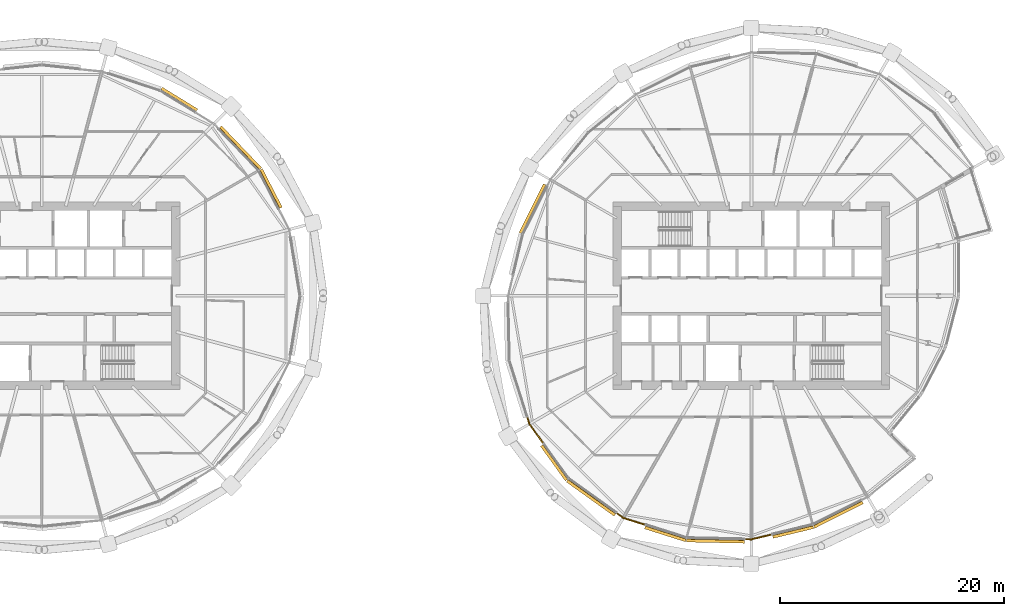
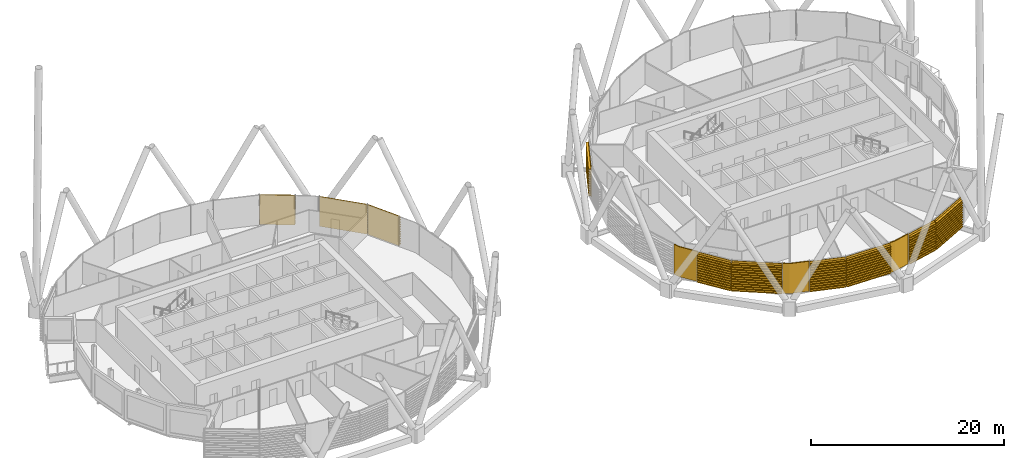
# One storey, part 37 of 39: 13 coverings.
"""IFC4 building model written with IfcOpenShell, lengths in metres."""

from ifc_helpers import new_model, si_unit, direction, frame, origin, place, context, subcontext, project, spatial, polyline, outline, extrude, material, layer, layer_set, material_profile, profile_set, type_object, element, save


model = new_model("IFC4")

# Units and contexts
model_context = context("Model", 3, precision=1e-05, world=origin(), true_north=direction((0.0, 1.0)))
body_context = subcontext(model_context, "Body", "Model", "MODEL_VIEW")
ifc_project = project(units=[si_unit("LENGTHUNIT", "METRE"), si_unit("AREAUNIT", "SQUARE_METRE"), si_unit("VOLUMEUNIT", "CUBIC_METRE"), si_unit("PLANEANGLEUNIT", "RADIAN"), si_unit("MASSUNIT", "GRAM", prefix="KILO")], contexts=[model_context])

# Site, building, storey
site_placement = place(None, origin())
site = spatial("IfcSite", under=ifc_project, at=site_placement, CompositionType="ELEMENT")
building_placement = place(site_placement, origin())
building = spatial("IfcBuilding", under=site, at=building_placement, Name="Rimbun Link Towers", CompositionType="ELEMENT")
storey_placement = place(building_placement, frame((0.0, 0.0, 115.800048828125)))
storey = spatial("IfcBuildingStorey", under=building, at=storey_placement, Name="L28", CompositionType="ELEMENT", Elevation=115.800048828125)

# Coverings
ifc_material_1 = material(Name="Terracotta", Category="masonry")
ifc_layer = layer(ifc_material_1, 0.1201171875)
ifc_layer_set = layer_set([ifc_layer], Name="LINK PIER terracotta cladding 120")
covering_type_1 = type_object("IfcCoveringType", Name="LINK PIER terracotta cladding 120", PredefinedType="CLADDING", material=ifc_layer_set)
covering_1_placement = place(storey_placement, origin())
element("IfcCovering", 1, at=covering_1_placement, inside=storey, type_object=covering_type_1, Name="LINK PIER cladding", PredefinedType="CLADDING", context=body_context, shape_type="SweptSolid", body=[
    extrude(outline(polyline([(13.203125, -13.201416015625), (11.93798828125, -11.4384765625), (11.750244140625, -10.84765625), (11.6357421875, -10.884033203125), (11.82958984375, -11.492919921875), (13.105712890625, -13.271484375), (13.203125, -13.201416015625)])), origin(), (0.0, 0.0, 1.0), 3.800048828125),
])
covering_2_placement = place(storey_placement, origin())
element("IfcCovering", 2, at=covering_2_placement, inside=storey, type_object=covering_type_1, Name="LINK PIER cladding", PredefinedType="CLADDING", context=body_context, shape_type="SweptSolid", body=[
    extrude(outline(polyline([(22.2841796875, -20.439208984375), (20.3115234375, -19.81201171875), (19.7265625, -19.39208984375), (19.65673828125, -19.48974609375), (20.257080078125, -19.92041015625), (22.247802734375, -20.5537109375), (22.2841796875, -20.439208984375)])), origin(), (0.0, 0.0, 1.0), 3.800048828125),
])
covering_3_placement = place(storey_placement, origin())
element("IfcCovering", 3, at=covering_3_placement, inside=storey, type_object=covering_type_1, Name="LINK PIER cladding", PredefinedType="CLADDING", context=body_context, shape_type="SweptSolid", body=[
    extrude(outline(polyline([(33.568603515625, -21.29541015625), (31.75, -21.730224609375), (31.18017578125, -21.71826171875), (31.177490234375, -21.83837890625), (31.762939453125, -21.8505859375), (33.5966796875, -21.412109375), (33.568603515625, -21.29541015625)])), origin(), (0.0, 0.0, 1.0), 3.800048828125),
])
ifc_material_2 = material(Name="Terracotta", Category="masonry")
ifc_material_profile = material_profile(ifc_material_2, outline(polyline([(0.123046875, 0.0), (0.1630859375, 0.0), (0.1630859375, 0.10009765625), (0.423095703125, 0.10009765625), (0.423095703125, 0.219970703125), (0.1630859375, 0.219970703125), (0.1630859375, 0.39990234375), (0.423095703125, 0.39990234375), (0.423095703125, 0.52001953125), (0.1630859375, 0.52001953125), (0.1630859375, 0.699951171875), (0.423095703125, 0.699951171875), (0.423095703125, 0.820068359375), (0.1630859375, 0.820068359375), (0.1630859375, 1.0), (0.423095703125, 1.0), (0.423095703125, 1.1201171875), (0.1630859375, 1.1201171875), (0.1630859375, 1.300048828125), (0.423095703125, 1.300048828125), (0.423095703125, 1.419921875), (0.1630859375, 1.419921875), (0.1630859375, 1.60009765625), (0.423095703125, 1.60009765625), (0.423095703125, 1.719970703125), (0.1630859375, 1.719970703125), (0.1630859375, 1.89990234375), (0.423095703125, 1.89990234375), (0.423095703125, 2.02001953125), (0.1630859375, 2.02001953125), (0.1630859375, 2.199951171875), (0.423095703125, 2.199951171875), (0.423095703125, 2.320068359375), (0.1630859375, 2.320068359375), (0.1630859375, 2.5), (0.423095703125, 2.5), (0.423095703125, 2.6201171875), (0.1630859375, 2.6201171875), (0.1630859375, 2.800048828125), (0.423095703125, 2.800048828125), (0.423095703125, 2.919921875), (0.1630859375, 2.919921875), (0.1630859375, 3.10009765625), (0.423095703125, 3.10009765625), (0.423095703125, 3.219970703125), (0.1630859375, 3.219970703125), (0.1630859375, 3.39990234375), (0.423095703125, 3.39990234375), (0.423095703125, 3.52001953125), (0.1630859375, 3.52001953125), (0.1630859375, 3.800048828125), (0.123046875, 3.800048828125), (0.123046875, 0.0)])), Name="BAGUETTE 120X300")
ifc_profile_set = profile_set([ifc_material_profile], Name="Terracotta")
covering_type_2 = type_object("IfcCoveringType", Name="TERRACOTTA BAGUETTE 120X300 H3800", PredefinedType="CLADDING", material=ifc_profile_set)
covering_4_placement = place(storey_placement, frame((-12.37646484375, 11.185302734375, 0.0), z_axis=(0.459537686225, -0.888158271334, 0.0), x_axis=(0.888158271334, 0.459537686225, 0.0)))
element("IfcCovering", 4, at=covering_4_placement, inside=storey, type_object=covering_type_2, Name="TERRACOTTA BAGUETTE", PredefinedType="CLADDING", context=body_context, shape_type="SweptSolid", body=[
    extrude(outline(polyline([(0.123046875, 0.0), (0.1630859375, 0.0), (0.1630859375, 0.10009765625), (0.423095703125, 0.10009765625), (0.423095703125, 0.219970703125), (0.1630859375, 0.219970703125), (0.1630859375, 0.39990234375), (0.423095703125, 0.39990234375), (0.423095703125, 0.52001953125), (0.1630859375, 0.52001953125), (0.1630859375, 0.699951171875), (0.423095703125, 0.699951171875), (0.423095703125, 0.820068359375), (0.1630859375, 0.820068359375), (0.1630859375, 1.0), (0.423095703125, 1.0), (0.423095703125, 1.1201171875), (0.1630859375, 1.1201171875), (0.1630859375, 1.300048828125), (0.423095703125, 1.300048828125), (0.423095703125, 1.419921875), (0.1630859375, 1.419921875), (0.1630859375, 1.60009765625), (0.423095703125, 1.60009765625), (0.423095703125, 1.719970703125), (0.1630859375, 1.719970703125), (0.1630859375, 1.89990234375), (0.423095703125, 1.89990234375), (0.423095703125, 2.02001953125), (0.1630859375, 2.02001953125), (0.1630859375, 2.199951171875), (0.423095703125, 2.199951171875), (0.423095703125, 2.320068359375), (0.1630859375, 2.320068359375), (0.1630859375, 2.5), (0.423095703125, 2.5), (0.423095703125, 2.6201171875), (0.1630859375, 2.6201171875), (0.1630859375, 2.800048828125), (0.423095703125, 2.800048828125), (0.423095703125, 2.919921875), (0.1630859375, 2.919921875), (0.1630859375, 3.10009765625), (0.423095703125, 3.10009765625), (0.423095703125, 3.219970703125), (0.1630859375, 3.219970703125), (0.1630859375, 3.39990234375), (0.423095703125, 3.39990234375), (0.423095703125, 3.52001953125), (0.1630859375, 3.52001953125), (0.1630859375, 3.800048828125), (0.123046875, 3.800048828125), (0.123046875, 0.0)])), origin(), (0.0, 0.0, 1.0), 3.877197265625),
])
covering_5_placement = place(storey_placement, frame((-15.96923828125, 14.9326171875, 0.0), z_axis=(0.692065709905, -0.721834505391, 0.0), x_axis=(0.721834505391, 0.692065709905, 0.0)))
element("IfcCovering", 5, at=covering_5_placement, inside=storey, type_object=covering_type_2, Name="TERRACOTTA BAGUETTE", PredefinedType="CLADDING", context=body_context, shape_type="SweptSolid", body=[
    extrude(outline(polyline([(0.123046875, 0.0), (0.1630859375, 0.0), (0.1630859375, 0.10009765625), (0.423095703125, 0.10009765625), (0.423095703125, 0.219970703125), (0.1630859375, 0.219970703125), (0.1630859375, 0.39990234375), (0.423095703125, 0.39990234375), (0.423095703125, 0.52001953125), (0.1630859375, 0.52001953125), (0.1630859375, 0.699951171875), (0.423095703125, 0.699951171875), (0.423095703125, 0.820068359375), (0.1630859375, 0.820068359375), (0.1630859375, 1.0), (0.423095703125, 1.0), (0.423095703125, 1.1201171875), (0.1630859375, 1.1201171875), (0.1630859375, 1.300048828125), (0.423095703125, 1.300048828125), (0.423095703125, 1.419921875), (0.1630859375, 1.419921875), (0.1630859375, 1.60009765625), (0.423095703125, 1.60009765625), (0.423095703125, 1.719970703125), (0.1630859375, 1.719970703125), (0.1630859375, 1.89990234375), (0.423095703125, 1.89990234375), (0.423095703125, 2.02001953125), (0.1630859375, 2.02001953125), (0.1630859375, 2.199951171875), (0.423095703125, 2.199951171875), (0.423095703125, 2.320068359375), (0.1630859375, 2.320068359375), (0.1630859375, 2.5), (0.423095703125, 2.5), (0.423095703125, 2.6201171875), (0.1630859375, 2.6201171875), (0.1630859375, 2.800048828125), (0.423095703125, 2.800048828125), (0.423095703125, 2.919921875), (0.1630859375, 2.919921875), (0.1630859375, 3.10009765625), (0.423095703125, 3.10009765625), (0.423095703125, 3.219970703125), (0.1630859375, 3.219970703125), (0.1630859375, 3.39990234375), (0.423095703125, 3.39990234375), (0.423095703125, 3.52001953125), (0.1630859375, 3.52001953125), (0.1630859375, 3.800048828125), (0.123046875, 3.800048828125), (0.123046875, 0.0)])), origin(), (0.0, 0.0, 1.0), 5.19140625),
])
covering_6_placement = place(storey_placement, frame((-21.178955078125, 18.3095703125, 0.0), z_axis=(0.852175326292, -0.523256355203, 0.0), x_axis=(0.523256355203, 0.852175326292, 0.0)))
element("IfcCovering", 6, at=covering_6_placement, inside=storey, type_object=covering_type_2, Name="TERRACOTTA BAGUETTE", PredefinedType="CLADDING", context=body_context, shape_type="SweptSolid", body=[
    extrude(outline(polyline([(0.123046875, 0.0), (0.1630859375, 0.0), (0.1630859375, 0.10009765625), (0.423095703125, 0.10009765625), (0.423095703125, 0.219970703125), (0.1630859375, 0.219970703125), (0.1630859375, 0.39990234375), (0.423095703125, 0.39990234375), (0.423095703125, 0.52001953125), (0.1630859375, 0.52001953125), (0.1630859375, 0.699951171875), (0.423095703125, 0.699951171875), (0.423095703125, 0.820068359375), (0.1630859375, 0.820068359375), (0.1630859375, 1.0), (0.423095703125, 1.0), (0.423095703125, 1.1201171875), (0.1630859375, 1.1201171875), (0.1630859375, 1.300048828125), (0.423095703125, 1.300048828125), (0.423095703125, 1.419921875), (0.1630859375, 1.419921875), (0.1630859375, 1.60009765625), (0.423095703125, 1.60009765625), (0.423095703125, 1.719970703125), (0.1630859375, 1.719970703125), (0.1630859375, 1.89990234375), (0.423095703125, 1.89990234375), (0.423095703125, 2.02001953125), (0.1630859375, 2.02001953125), (0.1630859375, 2.199951171875), (0.423095703125, 2.199951171875), (0.423095703125, 2.320068359375), (0.1630859375, 2.320068359375), (0.1630859375, 2.5), (0.423095703125, 2.5), (0.423095703125, 2.6201171875), (0.1630859375, 2.6201171875), (0.1630859375, 2.800048828125), (0.423095703125, 2.800048828125), (0.423095703125, 2.919921875), (0.1630859375, 2.919921875), (0.1630859375, 3.10009765625), (0.423095703125, 3.10009765625), (0.423095703125, 3.219970703125), (0.1630859375, 3.219970703125), (0.1630859375, 3.39990234375), (0.423095703125, 3.39990234375), (0.423095703125, 3.52001953125), (0.1630859375, 3.52001953125), (0.1630859375, 3.800048828125), (0.123046875, 3.800048828125), (0.123046875, 0.0)])), origin(), (0.0, 0.0, 1.0), 3.72607421875),
])
covering_7_placement = place(storey_placement, frame((11.328369140625, 5.471923828125, 0.0), z_axis=(0.448793402305, 0.893635542068, 0.0), x_axis=(-0.893635542068, 0.448793402305, 0.0)))
element("IfcCovering", 7, at=covering_7_placement, inside=storey, type_object=covering_type_2, Name="TERRACOTTA BAGUETTE", PredefinedType="CLADDING", context=body_context, shape_type="SweptSolid", body=[
    extrude(outline(polyline([(0.123046875, 0.0), (0.1630859375, 0.0), (0.1630859375, 0.10009765625), (0.423095703125, 0.10009765625), (0.423095703125, 0.219970703125), (0.1630859375, 0.219970703125), (0.1630859375, 0.39990234375), (0.423095703125, 0.39990234375), (0.423095703125, 0.52001953125), (0.1630859375, 0.52001953125), (0.1630859375, 0.699951171875), (0.423095703125, 0.699951171875), (0.423095703125, 0.820068359375), (0.1630859375, 0.820068359375), (0.1630859375, 1.0), (0.423095703125, 1.0), (0.423095703125, 1.1201171875), (0.1630859375, 1.1201171875), (0.1630859375, 1.300048828125), (0.423095703125, 1.300048828125), (0.423095703125, 1.419921875), (0.1630859375, 1.419921875), (0.1630859375, 1.60009765625), (0.423095703125, 1.60009765625), (0.423095703125, 1.719970703125), (0.1630859375, 1.719970703125), (0.1630859375, 1.89990234375), (0.423095703125, 1.89990234375), (0.423095703125, 2.02001953125), (0.1630859375, 2.02001953125), (0.1630859375, 2.199951171875), (0.423095703125, 2.199951171875), (0.423095703125, 2.320068359375), (0.1630859375, 2.320068359375), (0.1630859375, 2.5), (0.423095703125, 2.5), (0.423095703125, 2.6201171875), (0.1630859375, 2.6201171875), (0.1630859375, 2.800048828125), (0.423095703125, 2.800048828125), (0.423095703125, 2.919921875), (0.1630859375, 2.919921875), (0.1630859375, 3.10009765625), (0.423095703125, 3.10009765625), (0.423095703125, 3.219970703125), (0.1630859375, 3.219970703125), (0.1630859375, 3.39990234375), (0.423095703125, 3.39990234375), (0.423095703125, 3.52001953125), (0.1630859375, 3.52001953125), (0.1630859375, 3.800048828125), (0.123046875, 3.800048828125), (0.123046875, 0.0)])), origin(), (0.0, 0.0, 1.0), 4.88134765625),
])
covering_8_placement = place(storey_placement, frame((15.436279296875, -16.313720703125, 0.0), z_axis=(-0.582968725467, 0.812494593907, 0.0), x_axis=(-0.812494593907, -0.582968725467, 0.0)))
element("IfcCovering", 8, at=covering_8_placement, inside=storey, type_object=covering_type_2, Name="TERRACOTTA BAGUETTE", PredefinedType="CLADDING", context=body_context, shape_type="SweptSolid", body=[
    extrude(outline(polyline([(0.123046875, 0.0), (0.1630859375, 0.0), (0.1630859375, 0.10009765625), (0.423095703125, 0.10009765625), (0.423095703125, 0.219970703125), (0.1630859375, 0.219970703125), (0.1630859375, 0.39990234375), (0.423095703125, 0.39990234375), (0.423095703125, 0.52001953125), (0.1630859375, 0.52001953125), (0.1630859375, 0.699951171875), (0.423095703125, 0.699951171875), (0.423095703125, 0.820068359375), (0.1630859375, 0.820068359375), (0.1630859375, 1.0), (0.423095703125, 1.0), (0.423095703125, 1.1201171875), (0.1630859375, 1.1201171875), (0.1630859375, 1.300048828125), (0.423095703125, 1.300048828125), (0.423095703125, 1.419921875), (0.1630859375, 1.419921875), (0.1630859375, 1.60009765625), (0.423095703125, 1.60009765625), (0.423095703125, 1.719970703125), (0.1630859375, 1.719970703125), (0.1630859375, 1.89990234375), (0.423095703125, 1.89990234375), (0.423095703125, 2.02001953125), (0.1630859375, 2.02001953125), (0.1630859375, 2.199951171875), (0.423095703125, 2.199951171875), (0.423095703125, 2.320068359375), (0.1630859375, 2.320068359375), (0.1630859375, 2.5), (0.423095703125, 2.5), (0.423095703125, 2.6201171875), (0.1630859375, 2.6201171875), (0.1630859375, 2.800048828125), (0.423095703125, 2.800048828125), (0.423095703125, 2.919921875), (0.1630859375, 2.919921875), (0.1630859375, 3.10009765625), (0.423095703125, 3.10009765625), (0.423095703125, 3.219970703125), (0.1630859375, 3.219970703125), (0.1630859375, 3.39990234375), (0.423095703125, 3.39990234375), (0.423095703125, 3.52001953125), (0.1630859375, 3.52001953125), (0.1630859375, 3.800048828125), (0.123046875, 3.800048828125), (0.123046875, 0.0)])), origin(), (0.0, 0.0, 1.0), 3.800537109375),
])
covering_9_placement = place(storey_placement, frame((19.7021484375, -19.374755859375, 0.0), z_axis=(-0.812471696344, 0.583000636912, 0.0), x_axis=(-0.583000636912, -0.812471696344, 0.0)))
element("IfcCovering", 9, at=covering_9_placement, inside=storey, type_object=covering_type_2, Name="TERRACOTTA BAGUETTE", PredefinedType="CLADDING", context=body_context, shape_type="SweptSolid", body=[
    extrude(outline(polyline([(0.123046875, 0.0), (0.1630859375, 0.0), (0.1630859375, 0.10009765625), (0.423095703125, 0.10009765625), (0.423095703125, 0.219970703125), (0.1630859375, 0.219970703125), (0.1630859375, 0.39990234375), (0.423095703125, 0.39990234375), (0.423095703125, 0.52001953125), (0.1630859375, 0.52001953125), (0.1630859375, 0.699951171875), (0.423095703125, 0.699951171875), (0.423095703125, 0.820068359375), (0.1630859375, 0.820068359375), (0.1630859375, 1.0), (0.423095703125, 1.0), (0.423095703125, 1.1201171875), (0.1630859375, 1.1201171875), (0.1630859375, 1.300048828125), (0.423095703125, 1.300048828125), (0.423095703125, 1.419921875), (0.1630859375, 1.419921875), (0.1630859375, 1.60009765625), (0.423095703125, 1.60009765625), (0.423095703125, 1.719970703125), (0.1630859375, 1.719970703125), (0.1630859375, 1.89990234375), (0.423095703125, 1.89990234375), (0.423095703125, 2.02001953125), (0.1630859375, 2.02001953125), (0.1630859375, 2.199951171875), (0.423095703125, 2.199951171875), (0.423095703125, 2.320068359375), (0.1630859375, 2.320068359375), (0.1630859375, 2.5), (0.423095703125, 2.5), (0.423095703125, 2.6201171875), (0.1630859375, 2.6201171875), (0.1630859375, 2.800048828125), (0.423095703125, 2.800048828125), (0.423095703125, 2.919921875), (0.1630859375, 2.919921875), (0.1630859375, 3.10009765625), (0.423095703125, 3.10009765625), (0.423095703125, 3.219970703125), (0.1630859375, 3.219970703125), (0.1630859375, 3.39990234375), (0.423095703125, 3.39990234375), (0.423095703125, 3.52001953125), (0.1630859375, 3.52001953125), (0.1630859375, 3.800048828125), (0.123046875, 3.800048828125), (0.123046875, 0.0)])), origin(), (0.0, 0.0, 1.0), 5.25048828125),
])
covering_10_placement = place(storey_placement, frame((25.960205078125, -21.6083984375, 0.0), z_axis=(-0.952955932815, 0.303108875016, 0.0), x_axis=(-0.303108875016, -0.952955932815, 0.0)))
element("IfcCovering", 10, at=covering_10_placement, inside=storey, type_object=covering_type_2, Name="TERRACOTTA BAGUETTE", PredefinedType="CLADDING", context=body_context, shape_type="SweptSolid", body=[
    extrude(outline(polyline([(0.123046875, 0.0), (0.1630859375, 0.0), (0.1630859375, 0.10009765625), (0.423095703125, 0.10009765625), (0.423095703125, 0.219970703125), (0.1630859375, 0.219970703125), (0.1630859375, 0.39990234375), (0.423095703125, 0.39990234375), (0.423095703125, 0.52001953125), (0.1630859375, 0.52001953125), (0.1630859375, 0.699951171875), (0.423095703125, 0.699951171875), (0.423095703125, 0.820068359375), (0.1630859375, 0.820068359375), (0.1630859375, 1.0), (0.423095703125, 1.0), (0.423095703125, 1.1201171875), (0.1630859375, 1.1201171875), (0.1630859375, 1.300048828125), (0.423095703125, 1.300048828125), (0.423095703125, 1.419921875), (0.1630859375, 1.419921875), (0.1630859375, 1.60009765625), (0.423095703125, 1.60009765625), (0.423095703125, 1.719970703125), (0.1630859375, 1.719970703125), (0.1630859375, 1.89990234375), (0.423095703125, 1.89990234375), (0.423095703125, 2.02001953125), (0.1630859375, 2.02001953125), (0.1630859375, 2.199951171875), (0.423095703125, 2.199951171875), (0.423095703125, 2.320068359375), (0.1630859375, 2.320068359375), (0.1630859375, 2.5), (0.423095703125, 2.5), (0.423095703125, 2.6201171875), (0.1630859375, 2.6201171875), (0.1630859375, 2.800048828125), (0.423095703125, 2.800048828125), (0.423095703125, 2.919921875), (0.1630859375, 2.919921875), (0.1630859375, 3.10009765625), (0.423095703125, 3.10009765625), (0.423095703125, 3.219970703125), (0.1630859375, 3.219970703125), (0.1630859375, 3.39990234375), (0.423095703125, 3.39990234375), (0.423095703125, 3.52001953125), (0.1630859375, 3.52001953125), (0.1630859375, 3.800048828125), (0.123046875, 3.800048828125), (0.123046875, 0.0)])), origin(), (0.0, 0.0, 1.0), 3.82763671875),
])
covering_11_placement = place(storey_placement, frame((31.150146484375, -21.7177734375, 0.0), z_axis=(-0.999778008373, 0.021069740698, 0.0), x_axis=(-0.021069740698, -0.999778008373, 0.0)))
element("IfcCovering", 11, at=covering_11_placement, inside=storey, type_object=covering_type_2, Name="TERRACOTTA BAGUETTE", PredefinedType="CLADDING", context=body_context, shape_type="SweptSolid", body=[
    extrude(outline(polyline([(0.123046875, 0.0), (0.1630859375, 0.0), (0.1630859375, 0.10009765625), (0.423095703125, 0.10009765625), (0.423095703125, 0.219970703125), (0.1630859375, 0.219970703125), (0.1630859375, 0.39990234375), (0.423095703125, 0.39990234375), (0.423095703125, 0.52001953125), (0.1630859375, 0.52001953125), (0.1630859375, 0.699951171875), (0.423095703125, 0.699951171875), (0.423095703125, 0.820068359375), (0.1630859375, 0.820068359375), (0.1630859375, 1.0), (0.423095703125, 1.0), (0.423095703125, 1.1201171875), (0.1630859375, 1.1201171875), (0.1630859375, 1.300048828125), (0.423095703125, 1.300048828125), (0.423095703125, 1.419921875), (0.1630859375, 1.419921875), (0.1630859375, 1.60009765625), (0.423095703125, 1.60009765625), (0.423095703125, 1.719970703125), (0.1630859375, 1.719970703125), (0.1630859375, 1.89990234375), (0.423095703125, 1.89990234375), (0.423095703125, 2.02001953125), (0.1630859375, 2.02001953125), (0.1630859375, 2.199951171875), (0.423095703125, 2.199951171875), (0.423095703125, 2.320068359375), (0.1630859375, 2.320068359375), (0.1630859375, 2.5), (0.423095703125, 2.5), (0.423095703125, 2.6201171875), (0.1630859375, 2.6201171875), (0.1630859375, 2.800048828125), (0.423095703125, 2.800048828125), (0.423095703125, 2.919921875), (0.1630859375, 2.919921875), (0.1630859375, 3.10009765625), (0.423095703125, 3.10009765625), (0.423095703125, 3.219970703125), (0.1630859375, 3.219970703125), (0.1630859375, 3.39990234375), (0.423095703125, 3.39990234375), (0.423095703125, 3.52001953125), (0.1630859375, 3.52001953125), (0.1630859375, 3.800048828125), (0.123046875, 3.800048828125), (0.123046875, 0.0)])), origin(), (0.0, 0.0, 1.0), 5.191162109375),
])
covering_12_placement = place(storey_placement, frame((37.221923828125, -20.421630859375, 0.0), z_axis=(-0.972573736539, -0.232594769921, 0.0), x_axis=(0.232594769921, -0.972573736539, 0.0)))
element("IfcCovering", 12, at=covering_12_placement, inside=storey, type_object=covering_type_2, Name="TERRACOTTA BAGUETTE", PredefinedType="CLADDING", context=body_context, shape_type="SweptSolid", body=[
    extrude(outline(polyline([(0.123046875, 0.0), (0.1630859375, 0.0), (0.1630859375, 0.10009765625), (0.423095703125, 0.10009765625), (0.423095703125, 0.219970703125), (0.1630859375, 0.219970703125), (0.1630859375, 0.39990234375), (0.423095703125, 0.39990234375), (0.423095703125, 0.52001953125), (0.1630859375, 0.52001953125), (0.1630859375, 0.699951171875), (0.423095703125, 0.699951171875), (0.423095703125, 0.820068359375), (0.1630859375, 0.820068359375), (0.1630859375, 1.0), (0.423095703125, 1.0), (0.423095703125, 1.1201171875), (0.1630859375, 1.1201171875), (0.1630859375, 1.300048828125), (0.423095703125, 1.300048828125), (0.423095703125, 1.419921875), (0.1630859375, 1.419921875), (0.1630859375, 1.60009765625), (0.423095703125, 1.60009765625), (0.423095703125, 1.719970703125), (0.1630859375, 1.719970703125), (0.1630859375, 1.89990234375), (0.423095703125, 1.89990234375), (0.423095703125, 2.02001953125), (0.1630859375, 2.02001953125), (0.1630859375, 2.199951171875), (0.423095703125, 2.199951171875), (0.423095703125, 2.320068359375), (0.1630859375, 2.320068359375), (0.1630859375, 2.5), (0.423095703125, 2.5), (0.423095703125, 2.6201171875), (0.1630859375, 2.6201171875), (0.1630859375, 2.800048828125), (0.423095703125, 2.800048828125), (0.423095703125, 2.919921875), (0.1630859375, 2.919921875), (0.1630859375, 3.10009765625), (0.423095703125, 3.10009765625), (0.423095703125, 3.219970703125), (0.1630859375, 3.219970703125), (0.1630859375, 3.39990234375), (0.423095703125, 3.39990234375), (0.423095703125, 3.52001953125), (0.1630859375, 3.52001953125), (0.1630859375, 3.800048828125), (0.123046875, 3.800048828125), (0.123046875, 0.0)])), origin(), (0.0, 0.0, 1.0), 3.726318359375),
])
covering_13_placement = place(storey_placement, frame((41.583984375, -18.23095703125, 0.0), z_axis=(-0.893635542068, -0.448793402305, 0.0), x_axis=(0.448793402305, -0.893635542068, 0.0)))
element("IfcCovering", 13, at=covering_13_placement, inside=storey, type_object=covering_type_2, Name="TERRACOTTA BAGUETTE", PredefinedType="CLADDING", context=body_context, shape_type="SweptSolid", body=[
    extrude(outline(polyline([(0.123046875, 0.0), (0.1630859375, 0.0), (0.1630859375, 0.10009765625), (0.423095703125, 0.10009765625), (0.423095703125, 0.219970703125), (0.1630859375, 0.219970703125), (0.1630859375, 0.39990234375), (0.423095703125, 0.39990234375), (0.423095703125, 0.52001953125), (0.1630859375, 0.52001953125), (0.1630859375, 0.699951171875), (0.423095703125, 0.699951171875), (0.423095703125, 0.820068359375), (0.1630859375, 0.820068359375), (0.1630859375, 1.0), (0.423095703125, 1.0), (0.423095703125, 1.1201171875), (0.1630859375, 1.1201171875), (0.1630859375, 1.300048828125), (0.423095703125, 1.300048828125), (0.423095703125, 1.419921875), (0.1630859375, 1.419921875), (0.1630859375, 1.60009765625), (0.423095703125, 1.60009765625), (0.423095703125, 1.719970703125), (0.1630859375, 1.719970703125), (0.1630859375, 1.89990234375), (0.423095703125, 1.89990234375), (0.423095703125, 2.02001953125), (0.1630859375, 2.02001953125), (0.1630859375, 2.199951171875), (0.423095703125, 2.199951171875), (0.423095703125, 2.320068359375), (0.1630859375, 2.320068359375), (0.1630859375, 2.5), (0.423095703125, 2.5), (0.423095703125, 2.6201171875), (0.1630859375, 2.6201171875), (0.1630859375, 2.800048828125), (0.423095703125, 2.800048828125), (0.423095703125, 2.919921875), (0.1630859375, 2.919921875), (0.1630859375, 3.10009765625), (0.423095703125, 3.10009765625), (0.423095703125, 3.219970703125), (0.1630859375, 3.219970703125), (0.1630859375, 3.39990234375), (0.423095703125, 3.39990234375), (0.423095703125, 3.52001953125), (0.1630859375, 3.52001953125), (0.1630859375, 3.800048828125), (0.123046875, 3.800048828125), (0.123046875, 0.0)])), origin(), (0.0, 0.0, 1.0), 4.88134765625),
])

save(model, "model.ifc")
